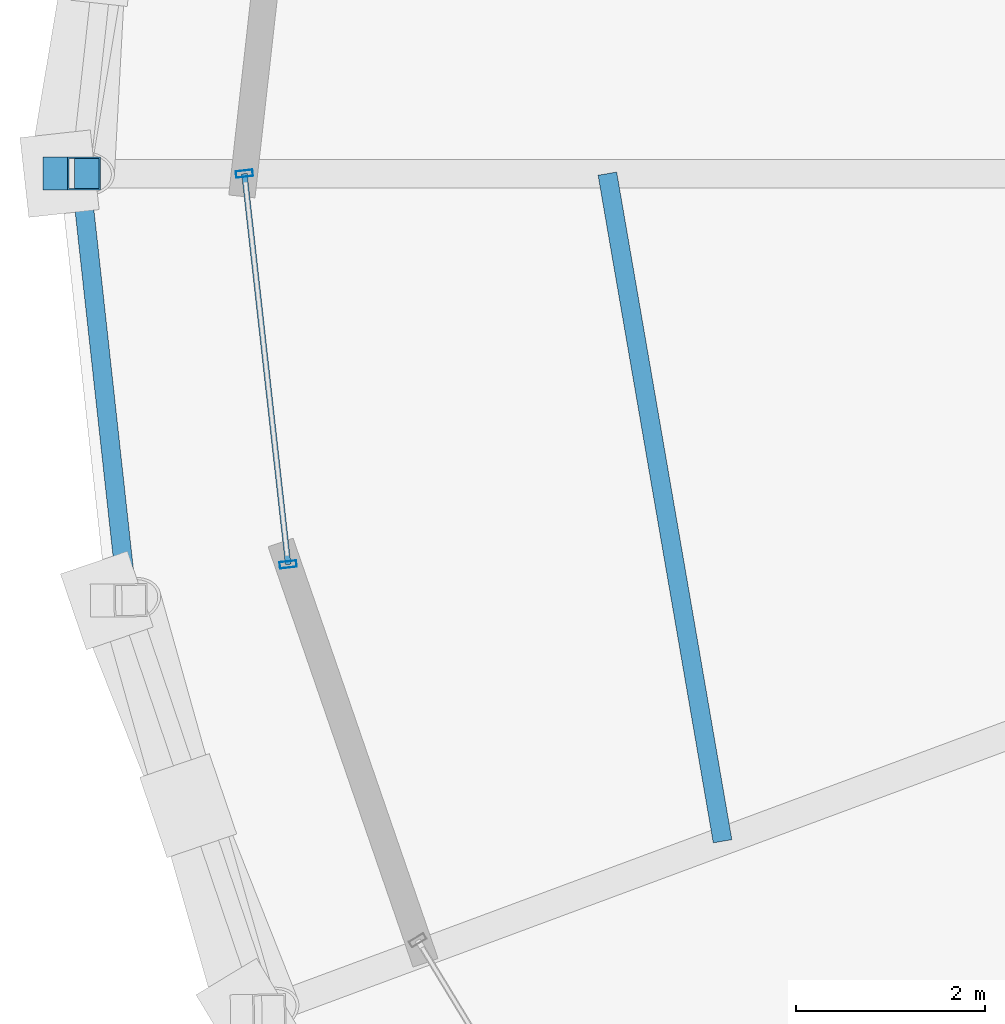
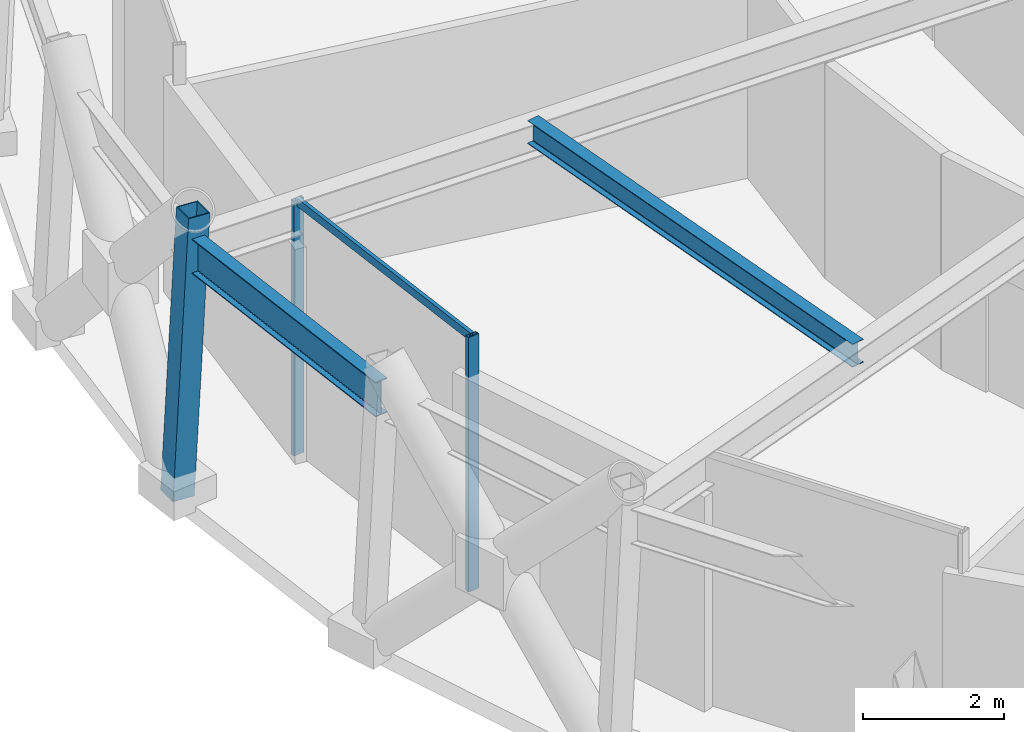
# One storey, part 6 of 29: 4 members, 2 beams, 1 element without a shape of its own.
"""IFC4 building model written with IfcOpenShell, lengths in metres."""

from ifc_helpers import new_model, si_unit, direction, frame, origin, origin_2d, place, context, subcontext, project, spatial, hollow_rectangle, i_section, extrude, material, layer, layer_set, material_profile, profile_set, type_object, element, aggregate, save


model = new_model("IFC4")

# Units and contexts
model_context = context("Model", 3, precision=1e-05, world=origin(), true_north=direction((0.0, 1.0)))
body_context = subcontext(model_context, "Body", "Model", "MODEL_VIEW")
ifc_project = project(units=[si_unit("LENGTHUNIT", "METRE"), si_unit("AREAUNIT", "SQUARE_METRE"), si_unit("VOLUMEUNIT", "CUBIC_METRE"), si_unit("PLANEANGLEUNIT", "RADIAN"), si_unit("MASSUNIT", "GRAM", prefix="KILO")], contexts=[model_context])

# Site, building, storey
site_placement = place(None, origin())
site = spatial("IfcSite", under=ifc_project, at=site_placement, CompositionType="ELEMENT")
building_placement = place(site_placement, origin())
building = spatial("IfcBuilding", under=site, at=building_placement, Name="Veldorina Hangang Commons", CompositionType="ELEMENT")
storey_placement = place(building_placement, frame((0.0, 0.0, 203.60009765625)))
storey = spatial("IfcBuildingStorey", under=building, at=storey_placement, Name="L53", CompositionType="ELEMENT", Elevation=203.60009765625)

# Beams
ifc_material_1 = material(Name="Steel SM355-TMC", Category="steel")
ifc_material_profile_1 = material_profile(ifc_material_1, i_section(OverallWidth=0.199951171875, OverallDepth=0.39990234375, WebThickness=0.008056640625, FlangeThickness=0.012939453125, FilletRadius=0.012939453125, at=origin_2d()), Name="H-400x200x8x13")
ifc_profile_set_1 = profile_set([ifc_material_profile_1], Name="Steel SM355-TMC")
beam_type_1 = type_object("IfcBeamType", Name="BM-JST400", PredefinedType="JOIST", material=ifc_profile_set_1)
beam_1_placement = place(storey_placement, frame((11.703125, 24.0, 4.239990234375), z_axis=(0.170050302032, -0.98543538336, 0.0), x_axis=(0.98543538336, 0.170050302032, 0.0)))
element("IfcBeam", 1, at=beam_1_placement, inside=storey, type_object=beam_type_1, Name="L53 secondary floor joist 09", PredefinedType="JOIST", context=body_context, shape_type="SweptSolid", body=[
    extrude(i_section(OverallWidth=0.199951171875, OverallDepth=0.39990234375, WebThickness=0.008056640625, FlangeThickness=0.012939453125, FilletRadius=0.012939453125, at=origin_2d()), origin(), (0.0, 0.0, 1.0), 7.184326171875),
])
ifc_material_2 = material(Name="Steel SM420-TMC", Category="steel")
ifc_material_profile_2 = material_profile(ifc_material_2, i_section(OverallWidth=0.199951171875, OverallDepth=0.60009765625, WebThickness=0.010986328125, FlangeThickness=0.01708984375, FilletRadius=0.01806640625, at=origin_2d()), Name="H-600x200x11x17")
ifc_profile_set_2 = profile_set([ifc_material_profile_2], Name="Steel SM420-TMC")
beam_type_2 = type_object("IfcBeamType", Name="BM-RB600", PredefinedType="BEAM", material=ifc_profile_set_2)
beam_2_placement = place(storey_placement, frame((6.115478515625, 24.0, 4.139892578125), z_axis=(0.109254099199, -0.994013853932, 0.0), x_axis=(0.994013853932, 0.109254099199, 0.0)))
element("IfcBeam", 2, at=beam_2_placement, inside=storey, type_object=beam_type_2, Name="L53 perimeter hoop ring beam 16", PredefinedType="BEAM", context=body_context, shape_type="SweptSolid", body=[
    extrude(i_section(OverallWidth=0.199951171875, OverallDepth=0.60009765625, WebThickness=0.010986328125, FlangeThickness=0.01708984375, FilletRadius=0.01806640625, at=origin_2d()), origin(), (0.0, 0.0, 1.0), 4.552001953125),
])

# Curtain wall, members
ifc_material_3 = material(Name="Glass Acoustic Laminated", Category="glass")
ifc_layer = layer(ifc_material_3, 0.179931640625)
ifc_layer_set = layer_set([ifc_layer], Name="Glass Acoustic Laminated")
curtain_wall_type = type_object("IfcCurtainWallType", Name="CW-SYS-SKY", PredefinedType="NOTDEFINED", material=ifc_layer_set)
curtain_wall_placement = place(storey_placement, origin())
curtain_wall = element("IfcCurtainWall", 3, at=curtain_wall_placement, inside=storey, type_object=curtain_wall_type, Name="L53 unitised curtain wall CW-L53-R7", PredefinedType="NOTDEFINED")
ifc_material_4 = material(Name="Aluminium Anodized AA6063-T6", Category="aluminium")
ifc_material_profile_3 = material_profile(ifc_material_4, hollow_rectangle(XDim=0.070068359375, YDim=0.179931640625, WallThickness=0.00390625, at=origin_2d()), Name="ALU-RHS-180x70x4")
ifc_profile_set_3 = profile_set([ifc_material_profile_3], Name="Aluminium Anodized AA6063-T6")
member_type_1 = type_object("IfcMemberType", Name="CW-MUL-180", PredefinedType="MULLION", material=ifc_profile_set_3)
member_1_placement = place(storey_placement, frame((7.85400390625, 24.0, 0.0), z_axis=(0.0, 0.0, 1.0), x_axis=(0.111260795497, -0.993791243363, 0.0)))
member_1 = element("IfcMember", 4, at=member_1_placement, type_object=member_type_1, Name="CW-L53-R7 vertical mullion 1", PredefinedType="MULLION", context=body_context, shape_type="SweptSolid", body=[
    extrude(hollow_rectangle(XDim=0.070068359375, YDim=0.179931640625, WallThickness=0.00390625, at=origin_2d()), origin(), (0.0, 0.0, 1.0), 4.39990234375),
])
member_2_placement = place(storey_placement, frame((8.31787109375, 19.855712890625, 0.0), z_axis=(0.0, 0.0, 1.0), x_axis=(-0.111260795497, 0.993791243363, 0.0)))
member_2 = element("IfcMember", 5, at=member_2_placement, type_object=member_type_1, Name="CW-L53-R7 vertical mullion 2", PredefinedType="MULLION", context=body_context, shape_type="SweptSolid", body=[
    extrude(hollow_rectangle(XDim=0.070068359375, YDim=0.179931640625, WallThickness=0.00390625, at=origin_2d()), origin(), (0.0, 0.0, 1.0), 4.39990234375),
])
ifc_material_profile_4 = material_profile(ifc_material_4, hollow_rectangle(XDim=0.06005859375, YDim=0.139892578125, WallThickness=0.00341796875, at=origin_2d()), Name="ALU-RHS-140x60x3.5")
ifc_profile_set_4 = profile_set([ifc_material_profile_4], Name="Aluminium Anodized AA6063-T6")
member_type_2 = type_object("IfcMemberType", Name="CW-TRN-140", PredefinedType="USERDEFINED", material=ifc_profile_set_4)
member_3_placement = place(storey_placement, frame((7.85400390625, 24.0, 4.35986328125), z_axis=(0.111234693028, -0.993794165342, 0.0), x_axis=(0.993794165342, 0.111234693028, 0.0)))
member_3 = element("IfcMember", 6, at=member_3_placement, type_object=member_type_2, Name="CW-L53-R7 facet 1 transom 1", ObjectType="TRANSOM", PredefinedType="USERDEFINED", context=body_context, shape_type="SweptSolid", body=[
    extrude(hollow_rectangle(XDim=0.06005859375, YDim=0.139892578125, WallThickness=0.00341796875, at=origin_2d()), origin(), (0.0, 0.0, 1.0), 4.170166015625),
])
aggregate(curtain_wall, [member_1, member_2, member_3])

# Member
ifc_material_profile_5 = material_profile(ifc_material_1, hollow_rectangle(XDim=0.35009765625, YDim=0.35009765625, WallThickness=0.01611328125, at=origin_2d()), Name="SHS-350x350x16")
ifc_profile_set_5 = profile_set([ifc_material_profile_5], Name="Steel SM355-TMC")
member_type_3 = type_object("IfcMemberType", Name="STR-SHS350", PredefinedType="STRUT", material=ifc_profile_set_5)
member_4_placement = place(storey_placement, frame((5.893798828125, 24.0, 0.0), z_axis=(0.053483868537, 0.0, 0.998568713613), x_axis=(0.0, 1.0, 0.0)))
element("IfcMember", 7, at=member_4_placement, inside=storey, type_object=member_type_3, Name="L53 perimeter ring node post 16", PredefinedType="STRUT", context=body_context, shape_type="SweptSolid", body=[
    extrude(hollow_rectangle(XDim=0.35009765625, YDim=0.35009765625, WallThickness=0.01611328125, at=origin_2d()), origin(), (0.0, 0.0, 1.0), 4.806640625),
])

save(model, "model.ifc")
